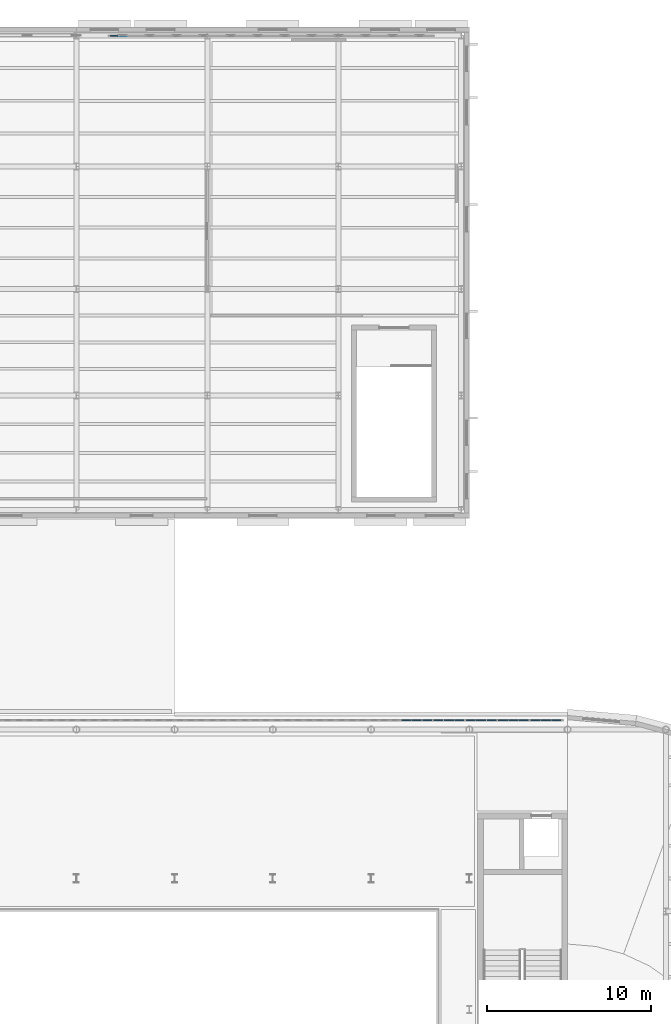
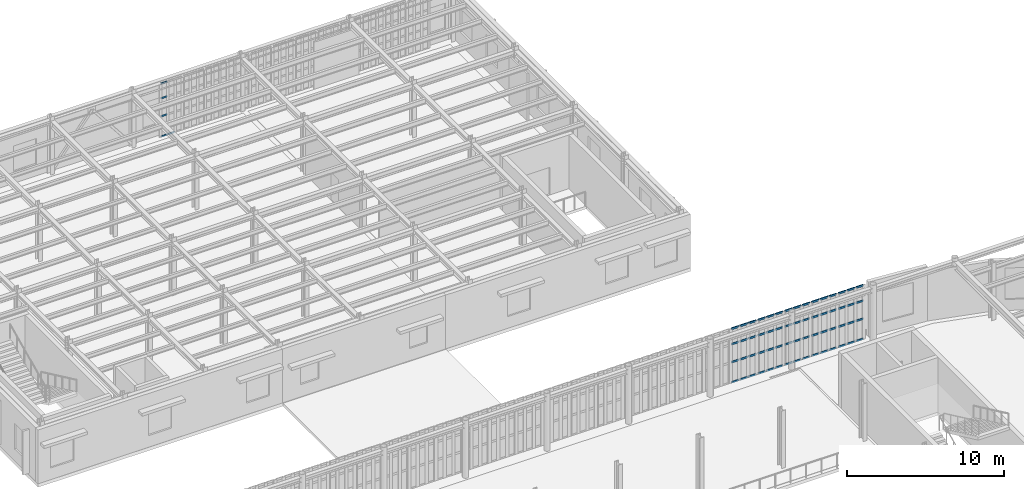
# One storey, part 43 of 91: 65 members, 6 elements without a shape of their own.
"""IFC4 building model written with IfcOpenShell, lengths in metres."""

from ifc_helpers import new_model, si_unit, direction, frame, origin, origin_2d, place, context, subcontext, project, spatial, rectangle, extrude, material, material_profile, profile_set, type_object, element, aggregate, save


model = new_model("IFC4")

# Units and contexts
model_context = context("Model", 3, precision=1e-05, world=origin(), true_north=direction((0.0, 1.0)))
body_context = subcontext(model_context, "Body", "Model", "MODEL_VIEW")
ifc_project = project(units=[si_unit("LENGTHUNIT", "METRE"), si_unit("AREAUNIT", "SQUARE_METRE"), si_unit("VOLUMEUNIT", "CUBIC_METRE"), si_unit("PLANEANGLEUNIT", "RADIAN"), si_unit("MASSUNIT", "GRAM", prefix="KILO")], contexts=[model_context])

# Site, building, storey
site_placement = place(None, origin())
site = spatial("IfcSite", under=ifc_project, at=site_placement, CompositionType="ELEMENT")
building_placement = place(site_placement, origin())
building = spatial("IfcBuilding", under=site, at=building_placement, Name="Kolvaren Corner Interchange", CompositionType="ELEMENT")
storey_placement = place(building_placement, frame((0.0, 0.0, 6.0)))
storey = spatial("IfcBuildingStorey", under=building, at=storey_placement, Name="L02", CompositionType="ELEMENT", Elevation=6.0)

# Curtain wall, members
ifc_material_1 = material(Name="Unitised Aluminium and Solar-Control Glass Curtain Wall", Category="aluminium")
curtain_wall_type_1 = type_object("IfcCurtainWallType", Name="CW-V3-MEZZ", PredefinedType="NOTDEFINED", material=ifc_material_1)
curtain_wall_1_placement = place(storey_placement, origin())
curtain_wall_1 = element("IfcCurtainWall", 1, at=curtain_wall_1_placement, inside=storey, type_object=curtain_wall_type_1, Name="Cycle Mezzanine North Curtain Wall Bay 01", PredefinedType="NOTDEFINED")
ifc_material_2 = material(Name="Anodised Aluminium Framing", Category="aluminium")
ifc_material_profile_1 = material_profile(ifc_material_2, rectangle(XDim=0.054931640625, YDim=0.1201171875, at=origin_2d()), Name="ALU 55x120")
ifc_profile_set_1 = profile_set([ifc_material_profile_1], Name="Anodised Aluminium Framing")
member_type_1 = type_object("IfcMemberType", Name="TRN-ALU55x120", PredefinedType="USERDEFINED", material=ifc_profile_set_1)
member_1_placement = place(storey_placement, frame((92.06005859375, 113.47998046875, 0.027587890625), z_axis=(1.0, 0.0, 0.0), x_axis=(0.0, 1.0, 0.0)))
member_1 = element("IfcMember", 2, at=member_1_placement, type_object=member_type_1, Name="CW-114 transom 1.1", ObjectType="TRANSOM", PredefinedType="USERDEFINED", context=body_context, shape_type="SweptSolid", body=[
    extrude(rectangle(XDim=0.054931640625, YDim=0.1201171875, at=origin_2d()), origin(), (0.0, 0.0, 1.0), 0.4599609375),
])
member_2_placement = place(storey_placement, frame((92.06005859375, 113.47998046875, 1.60009765625), z_axis=(1.0, 0.0, 0.0), x_axis=(0.0, 1.0, 0.0)))
member_2 = element("IfcMember", 3, at=member_2_placement, type_object=member_type_1, Name="CW-114 transom 1.2", ObjectType="TRANSOM", PredefinedType="USERDEFINED", context=body_context, shape_type="SweptSolid", body=[
    extrude(rectangle(XDim=0.054931640625, YDim=0.1201171875, at=origin_2d()), origin(), (0.0, 0.0, 1.0), 0.4599609375),
])
member_3_placement = place(storey_placement, frame((92.06005859375, 113.47998046875, 3.0), z_axis=(1.0, 0.0, 0.0), x_axis=(0.0, 1.0, 0.0)))
member_3 = element("IfcMember", 4, at=member_3_placement, type_object=member_type_1, Name="CW-114 transom 1.3", ObjectType="TRANSOM", PredefinedType="USERDEFINED", context=body_context, shape_type="SweptSolid", body=[
    extrude(rectangle(XDim=0.054931640625, YDim=0.1201171875, at=origin_2d()), origin(), (0.0, 0.0, 1.0), 0.4599609375),
])
member_4_placement = place(storey_placement, frame((92.06005859375, 113.47998046875, 4.132568359375), z_axis=(1.0, 0.0, 0.0), x_axis=(0.0, 1.0, 0.0)))
member_4 = element("IfcMember", 5, at=member_4_placement, type_object=member_type_1, Name="CW-114 transom 1.4", ObjectType="TRANSOM", PredefinedType="USERDEFINED", context=body_context, shape_type="SweptSolid", body=[
    extrude(rectangle(XDim=0.054931640625, YDim=0.1201171875, at=origin_2d()), origin(), (0.0, 0.0, 1.0), 0.4599609375),
])
member_5_placement = place(storey_placement, frame((92.580078125, 113.47998046875, 0.027587890625), z_axis=(1.0, 0.0, 0.0), x_axis=(0.0, 1.0, 0.0)))
member_5 = element("IfcMember", 6, at=member_5_placement, type_object=member_type_1, Name="CW-114 transom 2.1", ObjectType="TRANSOM", PredefinedType="USERDEFINED", context=body_context, shape_type="SweptSolid", body=[
    extrude(rectangle(XDim=0.054931640625, YDim=0.1201171875, at=origin_2d()), origin(), (0.0, 0.0, 1.0), 0.489990234375),
])
aggregate(curtain_wall_1, [member_1, member_2, member_3, member_4, member_5])

ifc_material_3 = material(Name="Unitised Aluminium and Solar-Control Glass Curtain Wall", Category="aluminium")
curtain_wall_type_2 = type_object("IfcCurtainWallType", Name="CW-V1-NORTH", PredefinedType="NOTDEFINED", material=ifc_material_3)
curtain_wall_2_placement = place(storey_placement, origin())
curtain_wall_2 = element("IfcCurtainWall", 7, at=curtain_wall_2_placement, inside=storey, type_object=curtain_wall_type_2, Name="North Concourse Gallery Curtain Wall Bay 01", PredefinedType="NOTDEFINED")
ifc_material_4 = material(Name="Anodised Aluminium Framing", Category="aluminium")
ifc_material_profile_2 = material_profile(ifc_material_4, rectangle(XDim=0.06494140625, YDim=0.14990234375, at=origin_2d()), Name="ALU 65x150")
ifc_profile_set_2 = profile_set([ifc_material_profile_2], Name="Anodised Aluminium Framing")
member_type_2 = type_object("IfcMemberType", Name="TRN-ALU65x150", PredefinedType="USERDEFINED", material=ifc_profile_set_2)
member_6_placement = place(storey_placement, frame((119.580078125, 71.659912109375, 0.032470703125), z_axis=(-1.0, 0.0, 0.0), x_axis=(0.0, -1.0, 0.0)))
member_6 = element("IfcMember", 8, at=member_6_placement, type_object=member_type_2, Name="CW-058 transom 1.1", ObjectType="TRANSOM", PredefinedType="USERDEFINED", context=body_context, shape_type="SweptSolid", body=[
    extrude(rectangle(XDim=0.06494140625, YDim=0.14990234375, at=origin_2d()), origin(), (0.0, 0.0, 1.0), 0.552001953125),
])
member_7_placement = place(storey_placement, frame((119.580078125, 71.659912109375, 1.60009765625), z_axis=(-1.0, 0.0, 0.0), x_axis=(0.0, -1.0, 0.0)))
member_7 = element("IfcMember", 9, at=member_7_placement, type_object=member_type_2, Name="CW-058 transom 1.2", ObjectType="TRANSOM", PredefinedType="USERDEFINED", context=body_context, shape_type="SweptSolid", body=[
    extrude(rectangle(XDim=0.06494140625, YDim=0.14990234375, at=origin_2d()), origin(), (0.0, 0.0, 1.0), 0.552001953125),
])
member_8_placement = place(storey_placement, frame((119.580078125, 71.659912109375, 3.0), z_axis=(-1.0, 0.0, 0.0), x_axis=(0.0, -1.0, 0.0)))
member_8 = element("IfcMember", 10, at=member_8_placement, type_object=member_type_2, Name="CW-058 transom 1.3", ObjectType="TRANSOM", PredefinedType="USERDEFINED", context=body_context, shape_type="SweptSolid", body=[
    extrude(rectangle(XDim=0.06494140625, YDim=0.14990234375, at=origin_2d()), origin(), (0.0, 0.0, 1.0), 0.552001953125),
])
member_9_placement = place(storey_placement, frame((119.580078125, 71.659912109375, 4.1875), z_axis=(-1.0, 0.0, 0.0), x_axis=(0.0, -1.0, 0.0)))
member_9 = element("IfcMember", 11, at=member_9_placement, type_object=member_type_2, Name="CW-058 transom 1.4", ObjectType="TRANSOM", PredefinedType="USERDEFINED", context=body_context, shape_type="SweptSolid", body=[
    extrude(rectangle(XDim=0.06494140625, YDim=0.14990234375, at=origin_2d()), origin(), (0.0, 0.0, 1.0), 0.552001953125),
])
member_10_placement = place(storey_placement, frame((118.9580078125, 71.659912109375, 0.032470703125), z_axis=(-1.0, 0.0, 0.0), x_axis=(0.0, -1.0, 0.0)))
member_10 = element("IfcMember", 12, at=member_10_placement, type_object=member_type_2, Name="CW-058 transom 2.1", ObjectType="TRANSOM", PredefinedType="USERDEFINED", context=body_context, shape_type="SweptSolid", body=[
    extrude(rectangle(XDim=0.06494140625, YDim=0.14990234375, at=origin_2d()), origin(), (0.0, 0.0, 1.0), 0.5869140625),
])
member_11_placement = place(storey_placement, frame((118.9580078125, 71.659912109375, 1.60009765625), z_axis=(-1.0, 0.0, 0.0), x_axis=(0.0, -1.0, 0.0)))
member_11 = element("IfcMember", 13, at=member_11_placement, type_object=member_type_2, Name="CW-058 transom 2.2", ObjectType="TRANSOM", PredefinedType="USERDEFINED", context=body_context, shape_type="SweptSolid", body=[
    extrude(rectangle(XDim=0.06494140625, YDim=0.14990234375, at=origin_2d()), origin(), (0.0, 0.0, 1.0), 0.5869140625),
])
member_12_placement = place(storey_placement, frame((118.9580078125, 71.659912109375, 3.0), z_axis=(-1.0, 0.0, 0.0), x_axis=(0.0, -1.0, 0.0)))
member_12 = element("IfcMember", 14, at=member_12_placement, type_object=member_type_2, Name="CW-058 transom 2.3", ObjectType="TRANSOM", PredefinedType="USERDEFINED", context=body_context, shape_type="SweptSolid", body=[
    extrude(rectangle(XDim=0.06494140625, YDim=0.14990234375, at=origin_2d()), origin(), (0.0, 0.0, 1.0), 0.5869140625),
])
member_13_placement = place(storey_placement, frame((118.9580078125, 71.659912109375, 4.1875), z_axis=(-1.0, 0.0, 0.0), x_axis=(0.0, -1.0, 0.0)))
member_13 = element("IfcMember", 15, at=member_13_placement, type_object=member_type_2, Name="CW-058 transom 2.4", ObjectType="TRANSOM", PredefinedType="USERDEFINED", context=body_context, shape_type="SweptSolid", body=[
    extrude(rectangle(XDim=0.06494140625, YDim=0.14990234375, at=origin_2d()), origin(), (0.0, 0.0, 1.0), 0.5869140625),
])
member_14_placement = place(storey_placement, frame((118.301025390625, 71.659912109375, 0.032470703125), z_axis=(-1.0, 0.0, 0.0), x_axis=(0.0, -1.0, 0.0)))
member_14 = element("IfcMember", 16, at=member_14_placement, type_object=member_type_2, Name="CW-058 transom 3.1", ObjectType="TRANSOM", PredefinedType="USERDEFINED", context=body_context, shape_type="SweptSolid", body=[
    extrude(rectangle(XDim=0.06494140625, YDim=0.14990234375, at=origin_2d()), origin(), (0.0, 0.0, 1.0), 0.5517578125),
])
member_15_placement = place(storey_placement, frame((118.301025390625, 71.659912109375, 1.60009765625), z_axis=(-1.0, 0.0, 0.0), x_axis=(0.0, -1.0, 0.0)))
member_15 = element("IfcMember", 17, at=member_15_placement, type_object=member_type_2, Name="CW-058 transom 3.2", ObjectType="TRANSOM", PredefinedType="USERDEFINED", context=body_context, shape_type="SweptSolid", body=[
    extrude(rectangle(XDim=0.06494140625, YDim=0.14990234375, at=origin_2d()), origin(), (0.0, 0.0, 1.0), 0.5517578125),
])
member_16_placement = place(storey_placement, frame((118.301025390625, 71.659912109375, 3.0), z_axis=(-1.0, 0.0, 0.0), x_axis=(0.0, -1.0, 0.0)))
member_16 = element("IfcMember", 18, at=member_16_placement, type_object=member_type_2, Name="CW-058 transom 3.3", ObjectType="TRANSOM", PredefinedType="USERDEFINED", context=body_context, shape_type="SweptSolid", body=[
    extrude(rectangle(XDim=0.06494140625, YDim=0.14990234375, at=origin_2d()), origin(), (0.0, 0.0, 1.0), 0.5517578125),
])
member_17_placement = place(storey_placement, frame((118.301025390625, 71.659912109375, 4.1875), z_axis=(-1.0, 0.0, 0.0), x_axis=(0.0, -1.0, 0.0)))
member_17 = element("IfcMember", 19, at=member_17_placement, type_object=member_type_2, Name="CW-058 transom 3.4", ObjectType="TRANSOM", PredefinedType="USERDEFINED", context=body_context, shape_type="SweptSolid", body=[
    extrude(rectangle(XDim=0.06494140625, YDim=0.14990234375, at=origin_2d()), origin(), (0.0, 0.0, 1.0), 0.5517578125),
])
aggregate(curtain_wall_2, [member_6, member_7, member_8, member_9, member_10, member_11, member_12, member_13, member_14, member_15, member_16, member_17])

curtain_wall_3_placement = place(storey_placement, origin())
curtain_wall_3 = element("IfcCurtainWall", 20, at=curtain_wall_3_placement, inside=storey, type_object=curtain_wall_type_2, Name="North Concourse Gallery Curtain Wall Bay 02", PredefinedType="NOTDEFINED")
member_18_placement = place(storey_placement, frame((117.609130859375, 71.659912109375, 0.032470703125), z_axis=(-1.0, 0.0, 0.0), x_axis=(0.0, -1.0, 0.0)))
member_18 = element("IfcMember", 21, at=member_18_placement, type_object=member_type_2, Name="CW-059 transom 1.1", ObjectType="TRANSOM", PredefinedType="USERDEFINED", context=body_context, shape_type="SweptSolid", body=[
    extrude(rectangle(XDim=0.06494140625, YDim=0.14990234375, at=origin_2d()), origin(), (0.0, 0.0, 1.0), 0.552001953125),
])
member_19_placement = place(storey_placement, frame((117.609130859375, 71.659912109375, 1.60009765625), z_axis=(-1.0, 0.0, 0.0), x_axis=(0.0, -1.0, 0.0)))
member_19 = element("IfcMember", 22, at=member_19_placement, type_object=member_type_2, Name="CW-059 transom 1.2", ObjectType="TRANSOM", PredefinedType="USERDEFINED", context=body_context, shape_type="SweptSolid", body=[
    extrude(rectangle(XDim=0.06494140625, YDim=0.14990234375, at=origin_2d()), origin(), (0.0, 0.0, 1.0), 0.552001953125),
])
member_20_placement = place(storey_placement, frame((117.609130859375, 71.659912109375, 3.0), z_axis=(-1.0, 0.0, 0.0), x_axis=(0.0, -1.0, 0.0)))
member_20 = element("IfcMember", 23, at=member_20_placement, type_object=member_type_2, Name="CW-059 transom 1.3", ObjectType="TRANSOM", PredefinedType="USERDEFINED", context=body_context, shape_type="SweptSolid", body=[
    extrude(rectangle(XDim=0.06494140625, YDim=0.14990234375, at=origin_2d()), origin(), (0.0, 0.0, 1.0), 0.552001953125),
])
member_21_placement = place(storey_placement, frame((117.609130859375, 71.659912109375, 4.1875), z_axis=(-1.0, 0.0, 0.0), x_axis=(0.0, -1.0, 0.0)))
member_21 = element("IfcMember", 24, at=member_21_placement, type_object=member_type_2, Name="CW-059 transom 1.4", ObjectType="TRANSOM", PredefinedType="USERDEFINED", context=body_context, shape_type="SweptSolid", body=[
    extrude(rectangle(XDim=0.06494140625, YDim=0.14990234375, at=origin_2d()), origin(), (0.0, 0.0, 1.0), 0.552001953125),
])
member_22_placement = place(storey_placement, frame((116.9873046875, 71.659912109375, 0.032470703125), z_axis=(-1.0, 0.0, 0.0), x_axis=(0.0, -1.0, 0.0)))
member_22 = element("IfcMember", 25, at=member_22_placement, type_object=member_type_2, Name="CW-059 transom 2.1", ObjectType="TRANSOM", PredefinedType="USERDEFINED", context=body_context, shape_type="SweptSolid", body=[
    extrude(rectangle(XDim=0.06494140625, YDim=0.14990234375, at=origin_2d()), origin(), (0.0, 0.0, 1.0), 0.587158203125),
])
member_23_placement = place(storey_placement, frame((116.9873046875, 71.659912109375, 1.60009765625), z_axis=(-1.0, 0.0, 0.0), x_axis=(0.0, -1.0, 0.0)))
member_23 = element("IfcMember", 26, at=member_23_placement, type_object=member_type_2, Name="CW-059 transom 2.2", ObjectType="TRANSOM", PredefinedType="USERDEFINED", context=body_context, shape_type="SweptSolid", body=[
    extrude(rectangle(XDim=0.06494140625, YDim=0.14990234375, at=origin_2d()), origin(), (0.0, 0.0, 1.0), 0.587158203125),
])
member_24_placement = place(storey_placement, frame((116.9873046875, 71.659912109375, 3.0), z_axis=(-1.0, 0.0, 0.0), x_axis=(0.0, -1.0, 0.0)))
member_24 = element("IfcMember", 27, at=member_24_placement, type_object=member_type_2, Name="CW-059 transom 2.3", ObjectType="TRANSOM", PredefinedType="USERDEFINED", context=body_context, shape_type="SweptSolid", body=[
    extrude(rectangle(XDim=0.06494140625, YDim=0.14990234375, at=origin_2d()), origin(), (0.0, 0.0, 1.0), 0.587158203125),
])
member_25_placement = place(storey_placement, frame((116.9873046875, 71.659912109375, 4.1875), z_axis=(-1.0, 0.0, 0.0), x_axis=(0.0, -1.0, 0.0)))
member_25 = element("IfcMember", 28, at=member_25_placement, type_object=member_type_2, Name="CW-059 transom 2.4", ObjectType="TRANSOM", PredefinedType="USERDEFINED", context=body_context, shape_type="SweptSolid", body=[
    extrude(rectangle(XDim=0.06494140625, YDim=0.14990234375, at=origin_2d()), origin(), (0.0, 0.0, 1.0), 0.587158203125),
])
member_26_placement = place(storey_placement, frame((116.330322265625, 71.659912109375, 0.032470703125), z_axis=(-1.0, 0.0, 0.0), x_axis=(0.0, -1.0, 0.0)))
member_26 = element("IfcMember", 29, at=member_26_placement, type_object=member_type_2, Name="CW-059 transom 3.1", ObjectType="TRANSOM", PredefinedType="USERDEFINED", context=body_context, shape_type="SweptSolid", body=[
    extrude(rectangle(XDim=0.06494140625, YDim=0.14990234375, at=origin_2d()), origin(), (0.0, 0.0, 1.0), 0.552001953125),
])
member_27_placement = place(storey_placement, frame((116.330322265625, 71.659912109375, 1.60009765625), z_axis=(-1.0, 0.0, 0.0), x_axis=(0.0, -1.0, 0.0)))
member_27 = element("IfcMember", 30, at=member_27_placement, type_object=member_type_2, Name="CW-059 transom 3.2", ObjectType="TRANSOM", PredefinedType="USERDEFINED", context=body_context, shape_type="SweptSolid", body=[
    extrude(rectangle(XDim=0.06494140625, YDim=0.14990234375, at=origin_2d()), origin(), (0.0, 0.0, 1.0), 0.552001953125),
])
member_28_placement = place(storey_placement, frame((116.330322265625, 71.659912109375, 3.0), z_axis=(-1.0, 0.0, 0.0), x_axis=(0.0, -1.0, 0.0)))
member_28 = element("IfcMember", 31, at=member_28_placement, type_object=member_type_2, Name="CW-059 transom 3.3", ObjectType="TRANSOM", PredefinedType="USERDEFINED", context=body_context, shape_type="SweptSolid", body=[
    extrude(rectangle(XDim=0.06494140625, YDim=0.14990234375, at=origin_2d()), origin(), (0.0, 0.0, 1.0), 0.552001953125),
])
member_29_placement = place(storey_placement, frame((116.330322265625, 71.659912109375, 4.1875), z_axis=(-1.0, 0.0, 0.0), x_axis=(0.0, -1.0, 0.0)))
member_29 = element("IfcMember", 32, at=member_29_placement, type_object=member_type_2, Name="CW-059 transom 3.4", ObjectType="TRANSOM", PredefinedType="USERDEFINED", context=body_context, shape_type="SweptSolid", body=[
    extrude(rectangle(XDim=0.06494140625, YDim=0.14990234375, at=origin_2d()), origin(), (0.0, 0.0, 1.0), 0.552001953125),
])
aggregate(curtain_wall_3, [member_18, member_19, member_20, member_21, member_22, member_23, member_24, member_25, member_26, member_27, member_28, member_29])

curtain_wall_4_placement = place(storey_placement, origin())
curtain_wall_4 = element("IfcCurtainWall", 33, at=curtain_wall_4_placement, inside=storey, type_object=curtain_wall_type_2, Name="North Concourse Gallery Curtain Wall Bay 03", PredefinedType="NOTDEFINED")
member_30_placement = place(storey_placement, frame((115.63818359375, 71.659912109375, 0.032470703125), z_axis=(-1.0, 0.0, 0.0), x_axis=(0.0, -1.0, 0.0)))
member_30 = element("IfcMember", 34, at=member_30_placement, type_object=member_type_2, Name="CW-060 transom 1.1", ObjectType="TRANSOM", PredefinedType="USERDEFINED", context=body_context, shape_type="SweptSolid", body=[
    extrude(rectangle(XDim=0.06494140625, YDim=0.14990234375, at=origin_2d()), origin(), (0.0, 0.0, 1.0), 0.5517578125),
])
member_31_placement = place(storey_placement, frame((115.63818359375, 71.659912109375, 1.60009765625), z_axis=(-1.0, 0.0, 0.0), x_axis=(0.0, -1.0, 0.0)))
member_31 = element("IfcMember", 35, at=member_31_placement, type_object=member_type_2, Name="CW-060 transom 1.2", ObjectType="TRANSOM", PredefinedType="USERDEFINED", context=body_context, shape_type="SweptSolid", body=[
    extrude(rectangle(XDim=0.06494140625, YDim=0.14990234375, at=origin_2d()), origin(), (0.0, 0.0, 1.0), 0.5517578125),
])
member_32_placement = place(storey_placement, frame((115.63818359375, 71.659912109375, 3.0), z_axis=(-1.0, 0.0, 0.0), x_axis=(0.0, -1.0, 0.0)))
member_32 = element("IfcMember", 36, at=member_32_placement, type_object=member_type_2, Name="CW-060 transom 1.3", ObjectType="TRANSOM", PredefinedType="USERDEFINED", context=body_context, shape_type="SweptSolid", body=[
    extrude(rectangle(XDim=0.06494140625, YDim=0.14990234375, at=origin_2d()), origin(), (0.0, 0.0, 1.0), 0.5517578125),
])
member_33_placement = place(storey_placement, frame((115.63818359375, 71.659912109375, 4.1875), z_axis=(-1.0, 0.0, 0.0), x_axis=(0.0, -1.0, 0.0)))
member_33 = element("IfcMember", 37, at=member_33_placement, type_object=member_type_2, Name="CW-060 transom 1.4", ObjectType="TRANSOM", PredefinedType="USERDEFINED", context=body_context, shape_type="SweptSolid", body=[
    extrude(rectangle(XDim=0.06494140625, YDim=0.14990234375, at=origin_2d()), origin(), (0.0, 0.0, 1.0), 0.5517578125),
])
member_34_placement = place(storey_placement, frame((115.016357421875, 71.659912109375, 0.032470703125), z_axis=(-1.0, 0.0, 0.0), x_axis=(0.0, -1.0, 0.0)))
member_34 = element("IfcMember", 38, at=member_34_placement, type_object=member_type_2, Name="CW-060 transom 2.1", ObjectType="TRANSOM", PredefinedType="USERDEFINED", context=body_context, shape_type="SweptSolid", body=[
    extrude(rectangle(XDim=0.06494140625, YDim=0.14990234375, at=origin_2d()), origin(), (0.0, 0.0, 1.0), 0.5869140625),
])
member_35_placement = place(storey_placement, frame((115.016357421875, 71.659912109375, 1.60009765625), z_axis=(-1.0, 0.0, 0.0), x_axis=(0.0, -1.0, 0.0)))
member_35 = element("IfcMember", 39, at=member_35_placement, type_object=member_type_2, Name="CW-060 transom 2.2", ObjectType="TRANSOM", PredefinedType="USERDEFINED", context=body_context, shape_type="SweptSolid", body=[
    extrude(rectangle(XDim=0.06494140625, YDim=0.14990234375, at=origin_2d()), origin(), (0.0, 0.0, 1.0), 0.5869140625),
])
member_36_placement = place(storey_placement, frame((115.016357421875, 71.659912109375, 3.0), z_axis=(-1.0, 0.0, 0.0), x_axis=(0.0, -1.0, 0.0)))
member_36 = element("IfcMember", 40, at=member_36_placement, type_object=member_type_2, Name="CW-060 transom 2.3", ObjectType="TRANSOM", PredefinedType="USERDEFINED", context=body_context, shape_type="SweptSolid", body=[
    extrude(rectangle(XDim=0.06494140625, YDim=0.14990234375, at=origin_2d()), origin(), (0.0, 0.0, 1.0), 0.5869140625),
])
member_37_placement = place(storey_placement, frame((115.016357421875, 71.659912109375, 4.1875), z_axis=(-1.0, 0.0, 0.0), x_axis=(0.0, -1.0, 0.0)))
member_37 = element("IfcMember", 41, at=member_37_placement, type_object=member_type_2, Name="CW-060 transom 2.4", ObjectType="TRANSOM", PredefinedType="USERDEFINED", context=body_context, shape_type="SweptSolid", body=[
    extrude(rectangle(XDim=0.06494140625, YDim=0.14990234375, at=origin_2d()), origin(), (0.0, 0.0, 1.0), 0.5869140625),
])
member_38_placement = place(storey_placement, frame((114.359375, 71.659912109375, 0.032470703125), z_axis=(-1.0, 0.0, 0.0), x_axis=(0.0, -1.0, 0.0)))
member_38 = element("IfcMember", 42, at=member_38_placement, type_object=member_type_2, Name="CW-060 transom 3.1", ObjectType="TRANSOM", PredefinedType="USERDEFINED", context=body_context, shape_type="SweptSolid", body=[
    extrude(rectangle(XDim=0.06494140625, YDim=0.14990234375, at=origin_2d()), origin(), (0.0, 0.0, 1.0), 0.5517578125),
])
member_39_placement = place(storey_placement, frame((114.359375, 71.659912109375, 1.60009765625), z_axis=(-1.0, 0.0, 0.0), x_axis=(0.0, -1.0, 0.0)))
member_39 = element("IfcMember", 43, at=member_39_placement, type_object=member_type_2, Name="CW-060 transom 3.2", ObjectType="TRANSOM", PredefinedType="USERDEFINED", context=body_context, shape_type="SweptSolid", body=[
    extrude(rectangle(XDim=0.06494140625, YDim=0.14990234375, at=origin_2d()), origin(), (0.0, 0.0, 1.0), 0.5517578125),
])
member_40_placement = place(storey_placement, frame((114.359375, 71.659912109375, 3.0), z_axis=(-1.0, 0.0, 0.0), x_axis=(0.0, -1.0, 0.0)))
member_40 = element("IfcMember", 44, at=member_40_placement, type_object=member_type_2, Name="CW-060 transom 3.3", ObjectType="TRANSOM", PredefinedType="USERDEFINED", context=body_context, shape_type="SweptSolid", body=[
    extrude(rectangle(XDim=0.06494140625, YDim=0.14990234375, at=origin_2d()), origin(), (0.0, 0.0, 1.0), 0.5517578125),
])
member_41_placement = place(storey_placement, frame((114.359375, 71.659912109375, 4.1875), z_axis=(-1.0, 0.0, 0.0), x_axis=(0.0, -1.0, 0.0)))
member_41 = element("IfcMember", 45, at=member_41_placement, type_object=member_type_2, Name="CW-060 transom 3.4", ObjectType="TRANSOM", PredefinedType="USERDEFINED", context=body_context, shape_type="SweptSolid", body=[
    extrude(rectangle(XDim=0.06494140625, YDim=0.14990234375, at=origin_2d()), origin(), (0.0, 0.0, 1.0), 0.5517578125),
])
aggregate(curtain_wall_4, [member_30, member_31, member_32, member_33, member_34, member_35, member_36, member_37, member_38, member_39, member_40, member_41])

curtain_wall_5_placement = place(storey_placement, origin())
curtain_wall_5 = element("IfcCurtainWall", 46, at=curtain_wall_5_placement, inside=storey, type_object=curtain_wall_type_2, Name="North Concourse Gallery Curtain Wall Bay 04", PredefinedType="NOTDEFINED")
member_42_placement = place(storey_placement, frame((113.66748046875, 71.659912109375, 0.032470703125), z_axis=(-1.0, 0.0, 0.0), x_axis=(0.0, -1.0, 0.0)))
member_42 = element("IfcMember", 47, at=member_42_placement, type_object=member_type_2, Name="CW-061 transom 1.1", ObjectType="TRANSOM", PredefinedType="USERDEFINED", context=body_context, shape_type="SweptSolid", body=[
    extrude(rectangle(XDim=0.06494140625, YDim=0.14990234375, at=origin_2d()), origin(), (0.0, 0.0, 1.0), 0.552001953125),
])
member_43_placement = place(storey_placement, frame((113.66748046875, 71.659912109375, 1.60009765625), z_axis=(-1.0, 0.0, 0.0), x_axis=(0.0, -1.0, 0.0)))
member_43 = element("IfcMember", 48, at=member_43_placement, type_object=member_type_2, Name="CW-061 transom 1.2", ObjectType="TRANSOM", PredefinedType="USERDEFINED", context=body_context, shape_type="SweptSolid", body=[
    extrude(rectangle(XDim=0.06494140625, YDim=0.14990234375, at=origin_2d()), origin(), (0.0, 0.0, 1.0), 0.552001953125),
])
member_44_placement = place(storey_placement, frame((113.66748046875, 71.659912109375, 3.0), z_axis=(-1.0, 0.0, 0.0), x_axis=(0.0, -1.0, 0.0)))
member_44 = element("IfcMember", 49, at=member_44_placement, type_object=member_type_2, Name="CW-061 transom 1.3", ObjectType="TRANSOM", PredefinedType="USERDEFINED", context=body_context, shape_type="SweptSolid", body=[
    extrude(rectangle(XDim=0.06494140625, YDim=0.14990234375, at=origin_2d()), origin(), (0.0, 0.0, 1.0), 0.552001953125),
])
member_45_placement = place(storey_placement, frame((113.66748046875, 71.659912109375, 4.1875), z_axis=(-1.0, 0.0, 0.0), x_axis=(0.0, -1.0, 0.0)))
member_45 = element("IfcMember", 50, at=member_45_placement, type_object=member_type_2, Name="CW-061 transom 1.4", ObjectType="TRANSOM", PredefinedType="USERDEFINED", context=body_context, shape_type="SweptSolid", body=[
    extrude(rectangle(XDim=0.06494140625, YDim=0.14990234375, at=origin_2d()), origin(), (0.0, 0.0, 1.0), 0.552001953125),
])
member_46_placement = place(storey_placement, frame((113.045654296875, 71.659912109375, 0.032470703125), z_axis=(-1.0, 0.0, 0.0), x_axis=(0.0, -1.0, 0.0)))
member_46 = element("IfcMember", 51, at=member_46_placement, type_object=member_type_2, Name="CW-061 transom 2.1", ObjectType="TRANSOM", PredefinedType="USERDEFINED", context=body_context, shape_type="SweptSolid", body=[
    extrude(rectangle(XDim=0.06494140625, YDim=0.14990234375, at=origin_2d()), origin(), (0.0, 0.0, 1.0), 0.5869140625),
])
member_47_placement = place(storey_placement, frame((113.045654296875, 71.659912109375, 1.60009765625), z_axis=(-1.0, 0.0, 0.0), x_axis=(0.0, -1.0, 0.0)))
member_47 = element("IfcMember", 52, at=member_47_placement, type_object=member_type_2, Name="CW-061 transom 2.2", ObjectType="TRANSOM", PredefinedType="USERDEFINED", context=body_context, shape_type="SweptSolid", body=[
    extrude(rectangle(XDim=0.06494140625, YDim=0.14990234375, at=origin_2d()), origin(), (0.0, 0.0, 1.0), 0.5869140625),
])
member_48_placement = place(storey_placement, frame((113.045654296875, 71.659912109375, 3.0), z_axis=(-1.0, 0.0, 0.0), x_axis=(0.0, -1.0, 0.0)))
member_48 = element("IfcMember", 53, at=member_48_placement, type_object=member_type_2, Name="CW-061 transom 2.3", ObjectType="TRANSOM", PredefinedType="USERDEFINED", context=body_context, shape_type="SweptSolid", body=[
    extrude(rectangle(XDim=0.06494140625, YDim=0.14990234375, at=origin_2d()), origin(), (0.0, 0.0, 1.0), 0.5869140625),
])
member_49_placement = place(storey_placement, frame((113.045654296875, 71.659912109375, 4.1875), z_axis=(-1.0, 0.0, 0.0), x_axis=(0.0, -1.0, 0.0)))
member_49 = element("IfcMember", 54, at=member_49_placement, type_object=member_type_2, Name="CW-061 transom 2.4", ObjectType="TRANSOM", PredefinedType="USERDEFINED", context=body_context, shape_type="SweptSolid", body=[
    extrude(rectangle(XDim=0.06494140625, YDim=0.14990234375, at=origin_2d()), origin(), (0.0, 0.0, 1.0), 0.5869140625),
])
member_50_placement = place(storey_placement, frame((112.388671875, 71.659912109375, 0.032470703125), z_axis=(-1.0, 0.0, 0.0), x_axis=(0.0, -1.0, 0.0)))
member_50 = element("IfcMember", 55, at=member_50_placement, type_object=member_type_2, Name="CW-061 transom 3.1", ObjectType="TRANSOM", PredefinedType="USERDEFINED", context=body_context, shape_type="SweptSolid", body=[
    extrude(rectangle(XDim=0.06494140625, YDim=0.14990234375, at=origin_2d()), origin(), (0.0, 0.0, 1.0), 0.552001953125),
])
member_51_placement = place(storey_placement, frame((112.388671875, 71.659912109375, 1.60009765625), z_axis=(-1.0, 0.0, 0.0), x_axis=(0.0, -1.0, 0.0)))
member_51 = element("IfcMember", 56, at=member_51_placement, type_object=member_type_2, Name="CW-061 transom 3.2", ObjectType="TRANSOM", PredefinedType="USERDEFINED", context=body_context, shape_type="SweptSolid", body=[
    extrude(rectangle(XDim=0.06494140625, YDim=0.14990234375, at=origin_2d()), origin(), (0.0, 0.0, 1.0), 0.552001953125),
])
member_52_placement = place(storey_placement, frame((112.388671875, 71.659912109375, 3.0), z_axis=(-1.0, 0.0, 0.0), x_axis=(0.0, -1.0, 0.0)))
member_52 = element("IfcMember", 57, at=member_52_placement, type_object=member_type_2, Name="CW-061 transom 3.3", ObjectType="TRANSOM", PredefinedType="USERDEFINED", context=body_context, shape_type="SweptSolid", body=[
    extrude(rectangle(XDim=0.06494140625, YDim=0.14990234375, at=origin_2d()), origin(), (0.0, 0.0, 1.0), 0.552001953125),
])
member_53_placement = place(storey_placement, frame((112.388671875, 71.659912109375, 4.1875), z_axis=(-1.0, 0.0, 0.0), x_axis=(0.0, -1.0, 0.0)))
member_53 = element("IfcMember", 58, at=member_53_placement, type_object=member_type_2, Name="CW-061 transom 3.4", ObjectType="TRANSOM", PredefinedType="USERDEFINED", context=body_context, shape_type="SweptSolid", body=[
    extrude(rectangle(XDim=0.06494140625, YDim=0.14990234375, at=origin_2d()), origin(), (0.0, 0.0, 1.0), 0.552001953125),
])
aggregate(curtain_wall_5, [member_42, member_43, member_44, member_45, member_46, member_47, member_48, member_49, member_50, member_51, member_52, member_53])

curtain_wall_6_placement = place(storey_placement, origin())
curtain_wall_6 = element("IfcCurtainWall", 59, at=curtain_wall_6_placement, inside=storey, type_object=curtain_wall_type_2, Name="North Concourse Gallery Curtain Wall Bay 05", PredefinedType="NOTDEFINED")
member_54_placement = place(storey_placement, frame((111.69677734375, 71.659912109375, 0.032470703125), z_axis=(-1.0, 0.0, 0.0), x_axis=(0.0, -1.0, 0.0)))
member_54 = element("IfcMember", 60, at=member_54_placement, type_object=member_type_2, Name="CW-062 transom 1.1", ObjectType="TRANSOM", PredefinedType="USERDEFINED", context=body_context, shape_type="SweptSolid", body=[
    extrude(rectangle(XDim=0.06494140625, YDim=0.14990234375, at=origin_2d()), origin(), (0.0, 0.0, 1.0), 0.552001953125),
])
member_55_placement = place(storey_placement, frame((111.69677734375, 71.659912109375, 1.60009765625), z_axis=(-1.0, 0.0, 0.0), x_axis=(0.0, -1.0, 0.0)))
member_55 = element("IfcMember", 61, at=member_55_placement, type_object=member_type_2, Name="CW-062 transom 1.2", ObjectType="TRANSOM", PredefinedType="USERDEFINED", context=body_context, shape_type="SweptSolid", body=[
    extrude(rectangle(XDim=0.06494140625, YDim=0.14990234375, at=origin_2d()), origin(), (0.0, 0.0, 1.0), 0.552001953125),
])
member_56_placement = place(storey_placement, frame((111.69677734375, 71.659912109375, 3.0), z_axis=(-1.0, 0.0, 0.0), x_axis=(0.0, -1.0, 0.0)))
member_56 = element("IfcMember", 62, at=member_56_placement, type_object=member_type_2, Name="CW-062 transom 1.3", ObjectType="TRANSOM", PredefinedType="USERDEFINED", context=body_context, shape_type="SweptSolid", body=[
    extrude(rectangle(XDim=0.06494140625, YDim=0.14990234375, at=origin_2d()), origin(), (0.0, 0.0, 1.0), 0.552001953125),
])
member_57_placement = place(storey_placement, frame((111.69677734375, 71.659912109375, 4.1875), z_axis=(-1.0, 0.0, 0.0), x_axis=(0.0, -1.0, 0.0)))
member_57 = element("IfcMember", 63, at=member_57_placement, type_object=member_type_2, Name="CW-062 transom 1.4", ObjectType="TRANSOM", PredefinedType="USERDEFINED", context=body_context, shape_type="SweptSolid", body=[
    extrude(rectangle(XDim=0.06494140625, YDim=0.14990234375, at=origin_2d()), origin(), (0.0, 0.0, 1.0), 0.552001953125),
])
member_58_placement = place(storey_placement, frame((111.07470703125, 71.659912109375, 0.032470703125), z_axis=(-1.0, 0.0, 0.0), x_axis=(0.0, -1.0, 0.0)))
member_58 = element("IfcMember", 64, at=member_58_placement, type_object=member_type_2, Name="CW-062 transom 2.1", ObjectType="TRANSOM", PredefinedType="USERDEFINED", context=body_context, shape_type="SweptSolid", body=[
    extrude(rectangle(XDim=0.06494140625, YDim=0.14990234375, at=origin_2d()), origin(), (0.0, 0.0, 1.0), 0.5869140625),
])
member_59_placement = place(storey_placement, frame((111.07470703125, 71.659912109375, 1.60009765625), z_axis=(-1.0, 0.0, 0.0), x_axis=(0.0, -1.0, 0.0)))
member_59 = element("IfcMember", 65, at=member_59_placement, type_object=member_type_2, Name="CW-062 transom 2.2", ObjectType="TRANSOM", PredefinedType="USERDEFINED", context=body_context, shape_type="SweptSolid", body=[
    extrude(rectangle(XDim=0.06494140625, YDim=0.14990234375, at=origin_2d()), origin(), (0.0, 0.0, 1.0), 0.5869140625),
])
member_60_placement = place(storey_placement, frame((111.07470703125, 71.659912109375, 3.0), z_axis=(-1.0, 0.0, 0.0), x_axis=(0.0, -1.0, 0.0)))
member_60 = element("IfcMember", 66, at=member_60_placement, type_object=member_type_2, Name="CW-062 transom 2.3", ObjectType="TRANSOM", PredefinedType="USERDEFINED", context=body_context, shape_type="SweptSolid", body=[
    extrude(rectangle(XDim=0.06494140625, YDim=0.14990234375, at=origin_2d()), origin(), (0.0, 0.0, 1.0), 0.5869140625),
])
member_61_placement = place(storey_placement, frame((111.07470703125, 71.659912109375, 4.1875), z_axis=(-1.0, 0.0, 0.0), x_axis=(0.0, -1.0, 0.0)))
member_61 = element("IfcMember", 67, at=member_61_placement, type_object=member_type_2, Name="CW-062 transom 2.4", ObjectType="TRANSOM", PredefinedType="USERDEFINED", context=body_context, shape_type="SweptSolid", body=[
    extrude(rectangle(XDim=0.06494140625, YDim=0.14990234375, at=origin_2d()), origin(), (0.0, 0.0, 1.0), 0.5869140625),
])
member_62_placement = place(storey_placement, frame((110.417724609375, 71.659912109375, 0.032470703125), z_axis=(-1.0, 0.0, 0.0), x_axis=(0.0, -1.0, 0.0)))
member_62 = element("IfcMember", 68, at=member_62_placement, type_object=member_type_2, Name="CW-062 transom 3.1", ObjectType="TRANSOM", PredefinedType="USERDEFINED", context=body_context, shape_type="SweptSolid", body=[
    extrude(rectangle(XDim=0.06494140625, YDim=0.14990234375, at=origin_2d()), origin(), (0.0, 0.0, 1.0), 0.552001953125),
])
member_63_placement = place(storey_placement, frame((110.417724609375, 71.659912109375, 1.60009765625), z_axis=(-1.0, 0.0, 0.0), x_axis=(0.0, -1.0, 0.0)))
member_63 = element("IfcMember", 69, at=member_63_placement, type_object=member_type_2, Name="CW-062 transom 3.2", ObjectType="TRANSOM", PredefinedType="USERDEFINED", context=body_context, shape_type="SweptSolid", body=[
    extrude(rectangle(XDim=0.06494140625, YDim=0.14990234375, at=origin_2d()), origin(), (0.0, 0.0, 1.0), 0.552001953125),
])
member_64_placement = place(storey_placement, frame((110.417724609375, 71.659912109375, 3.0), z_axis=(-1.0, 0.0, 0.0), x_axis=(0.0, -1.0, 0.0)))
member_64 = element("IfcMember", 70, at=member_64_placement, type_object=member_type_2, Name="CW-062 transom 3.3", ObjectType="TRANSOM", PredefinedType="USERDEFINED", context=body_context, shape_type="SweptSolid", body=[
    extrude(rectangle(XDim=0.06494140625, YDim=0.14990234375, at=origin_2d()), origin(), (0.0, 0.0, 1.0), 0.552001953125),
])
member_65_placement = place(storey_placement, frame((110.417724609375, 71.659912109375, 4.1875), z_axis=(-1.0, 0.0, 0.0), x_axis=(0.0, -1.0, 0.0)))
member_65 = element("IfcMember", 71, at=member_65_placement, type_object=member_type_2, Name="CW-062 transom 3.4", ObjectType="TRANSOM", PredefinedType="USERDEFINED", context=body_context, shape_type="SweptSolid", body=[
    extrude(rectangle(XDim=0.06494140625, YDim=0.14990234375, at=origin_2d()), origin(), (0.0, 0.0, 1.0), 0.552001953125),
])
aggregate(curtain_wall_6, [member_54, member_55, member_56, member_57, member_58, member_59, member_60, member_61, member_62, member_63, member_64, member_65])

save(model, "model.ifc")
